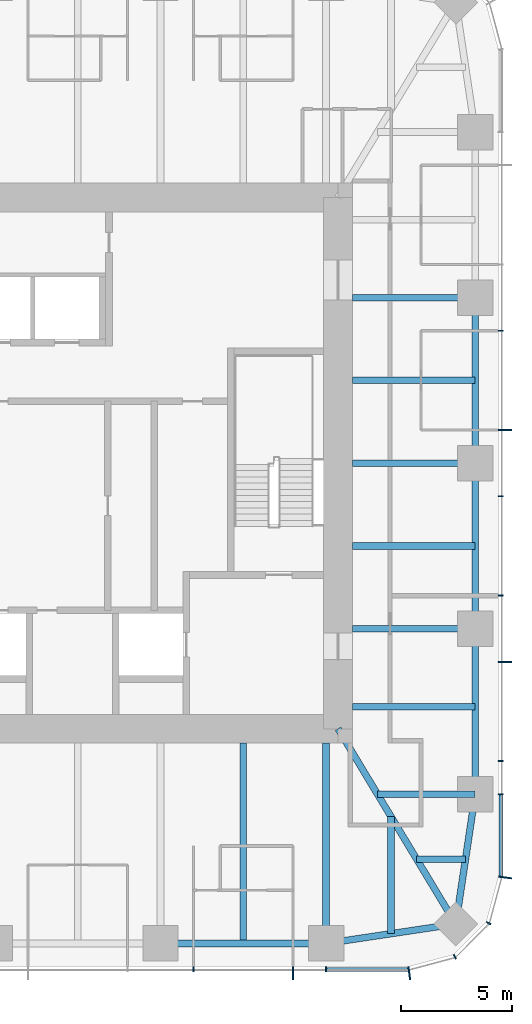
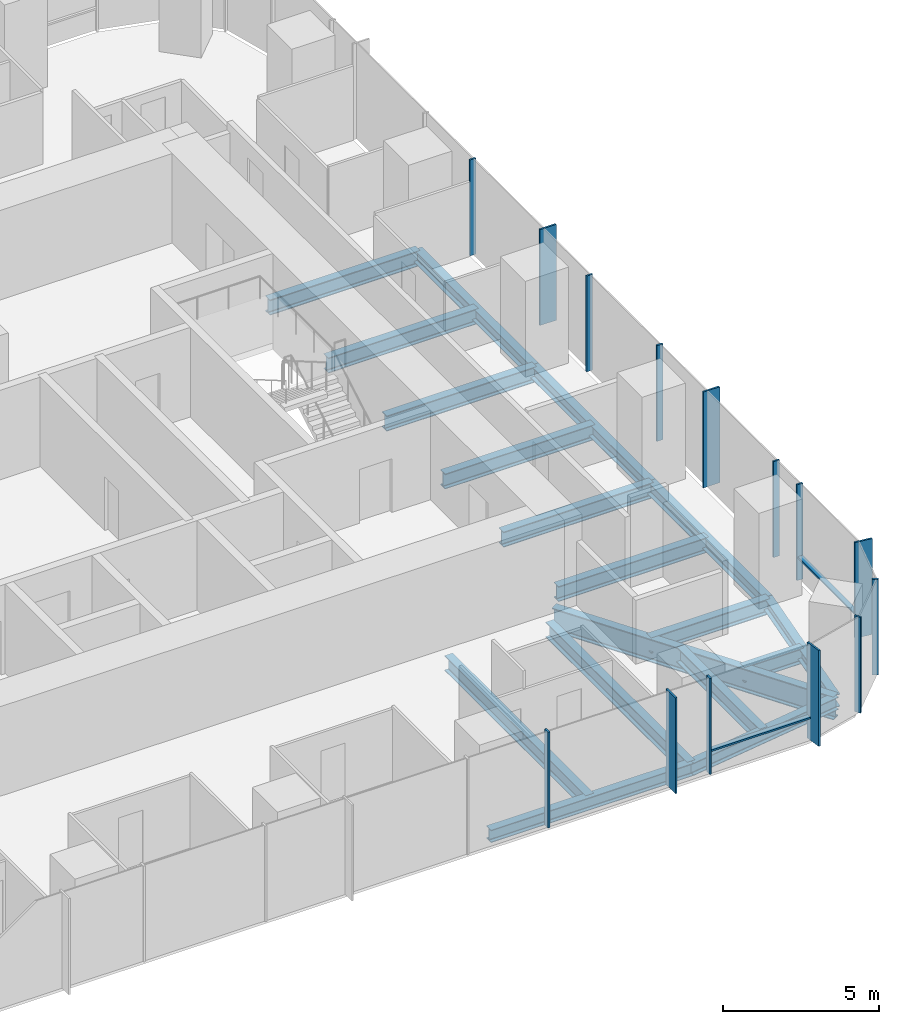
# One storey, part 4 of 12: 18 beams, 16 members, 3 elements without a shape of their own.
"""IFC4 building model written with IfcOpenShell, lengths in metres."""

from ifc_helpers import new_model, si_unit, direction, frame, origin, origin_2d, place, context, subcontext, project, spatial, rectangle, i_section, extrude, material, material_profile, profile_set, type_object, element, aggregate, save


model = new_model("IFC4")

# Units and contexts
model_context = context("Model", 3, precision=1e-05, world=origin(), true_north=direction((0.0, 1.0)))
body_context = subcontext(model_context, "Body", "Model", "MODEL_VIEW")
ifc_project = project(units=[si_unit("LENGTHUNIT", "METRE"), si_unit("AREAUNIT", "SQUARE_METRE"), si_unit("VOLUMEUNIT", "CUBIC_METRE"), si_unit("PLANEANGLEUNIT", "RADIAN"), si_unit("MASSUNIT", "GRAM", prefix="KILO")], contexts=[model_context])

# Site, building, storey
site_placement = place(None, origin())
site = spatial("IfcSite", under=ifc_project, at=site_placement, CompositionType="ELEMENT")
building_placement = place(site_placement, origin())
building = spatial("IfcBuilding", under=site, at=building_placement, Name="Khuree Lantern Residences", CompositionType="ELEMENT")
storey_placement = place(building_placement, frame((0.0, 0.0, 345.75)))
storey = spatial("IfcBuildingStorey", under=building, at=storey_placement, Name="L87", CompositionType="ELEMENT", Elevation=345.75)

# Beams
ifc_material_1 = material(Name="Steel S355", Category="steel")
ifc_material_profile_1 = material_profile(ifc_material_1, i_section(OverallWidth=0.300048828125, OverallDepth=0.590087890625, WebThickness=0.012939453125, FlangeThickness=0.02490234375, FilletRadius=0.027099609375, at=origin_2d()), Name="HE 600 A")
ifc_profile_set_1 = profile_set([ifc_material_profile_1], Name="Steel S355")
beam_type_1 = type_object("IfcBeamType", Name="B-45 SECONDARY BEAM HE 600 A", PredefinedType="BEAM", material=ifc_profile_set_1)
for number, where, z_axis, x_axis, name in (
    (1, (21.699951171875, 3.739990234375, -0.544921875), (-1.0, 0.0, 0.0), (0.0, -1.0, 0.0), "Secondary beam E3"),
    (2, (21.699951171875, -3.739990234375, -0.544921875), (-1.0, 0.0, 0.0), (0.0, -1.0, 0.0), "Secondary beam E4"),
    (3, (21.699951171875, -11.0, -0.544921875), (-1.0, 0.0, 0.0), (0.0, -1.0, 0.0), "Secondary beam E5"),
):
    element("IfcBeam", number, at=place(storey_placement, frame(where, z_axis=z_axis, x_axis=x_axis)), inside=storey, type_object=beam_type_1, Name=name, PredefinedType="BEAM", context=body_context, shape_type="SweptSolid", body=[
        extrude(i_section(OverallWidth=0.300048828125, OverallDepth=0.590087890625, WebThickness=0.012939453125, FlangeThickness=0.02490234375, FilletRadius=0.027099609375, at=origin_2d()), origin(), (0.0, 0.0, 1.0), 5.550048828125),
    ])
beam_1_placement = place(storey_placement, frame((21.2607421875, -17.890625, -0.544921875), z_axis=(-1.0, 0.0, 0.0), x_axis=(0.0, -1.0, 0.0)))
element("IfcBeam", 4, at=beam_1_placement, inside=storey, type_object=beam_type_1, Name="Secondary beam E6", PredefinedType="BEAM", context=body_context, shape_type="SweptSolid", body=[
    extrude(i_section(OverallWidth=0.300048828125, OverallDepth=0.590087890625, WebThickness=0.012939453125, FlangeThickness=0.02490234375, FilletRadius=0.027099609375, at=origin_2d()), origin(), (0.0, 0.0, 1.0), 2.207275390625),
])
beam_2_placement = place(storey_placement, frame((17.890625, -21.2607421875, -0.544921875), z_axis=(0.0, 1.0, 0.0), x_axis=(-1.0, 0.0, 0.0)))
element("IfcBeam", 5, at=beam_2_placement, inside=storey, type_object=beam_type_1, Name="Secondary beam S1", PredefinedType="BEAM", context=body_context, shape_type="SweptSolid", body=[
    extrude(i_section(OverallWidth=0.300048828125, OverallDepth=0.590087890625, WebThickness=0.012939453125, FlangeThickness=0.02490234375, FilletRadius=0.027099609375, at=origin_2d()), origin(), (0.0, 0.0, 1.0), 5.297607421875),
])
beam_3_placement = place(storey_placement, frame((11.219970703125, -21.699951171875, -0.544921875), z_axis=(0.0, 1.0, 0.0), x_axis=(-1.0, 0.0, 0.0)))
element("IfcBeam", 6, at=beam_3_placement, inside=storey, type_object=beam_type_1, Name="Secondary beam S2", PredefinedType="BEAM", context=body_context, shape_type="SweptSolid", body=[
    extrude(i_section(OverallWidth=0.300048828125, OverallDepth=0.590087890625, WebThickness=0.012939453125, FlangeThickness=0.02490234375, FilletRadius=0.027099609375, at=origin_2d()), origin(), (0.0, 0.0, 1.0), 9.050048828125),
])
ifc_material_profile_2 = material_profile(ifc_material_1, i_section(OverallWidth=0.300048828125, OverallDepth=0.489990234375, WebThickness=0.011962890625, FlangeThickness=0.02294921875, FilletRadius=0.027099609375, at=origin_2d()), Name="HE 500 A")
ifc_profile_set_2 = profile_set([ifc_material_profile_2], Name="Steel S355")
beam_type_2 = type_object("IfcBeamType", Name="E-45 SPANDREL BEAM HE 500 A", PredefinedType="SPANDREL", material=ifc_profile_set_2)
for number, where, z_axis, x_axis, name in (
    (7, (21.699951171875, 7.47998046875, -0.4951171875), (0.0, -1.0, 0.0), (1.0, 0.0, 0.0), "Spandrel beam E3"),
    (8, (21.699951171875, 0.0, -0.4951171875), (0.0, -1.0, 0.0), (1.0, 0.0, 0.0), "Spandrel beam E4"),
    (9, (21.699951171875, -7.47998046875, -0.4951171875), (0.0, -1.0, 0.0), (1.0, 0.0, 0.0), "Spandrel beam E5"),
):
    element("IfcBeam", number, at=place(storey_placement, frame(where, z_axis=z_axis, x_axis=x_axis)), inside=storey, type_object=beam_type_2, Name=name, PredefinedType="SPANDREL", context=body_context, shape_type="SweptSolid", body=[
        extrude(i_section(OverallWidth=0.300048828125, OverallDepth=0.489990234375, WebThickness=0.011962890625, FlangeThickness=0.02294921875, FilletRadius=0.027099609375, at=origin_2d()), origin(), (0.0, 0.0, 1.0), 7.47998046875),
    ])
for number, where, z_axis, x_axis, name in (
    (10, (21.699951171875, -14.9599609375, -0.4951171875), (-0.148251822985, -0.988949643299, 0.0), (0.988949643299, -0.148251822985, 0.0), "Spandrel beam E6"),
    (11, (20.8212890625, -20.8212890625, -0.4951171875), (-0.988949643299, -0.148251822985, 0.0), (0.148251822985, -0.988949643299, 0.0), "Spandrel beam S1"),
):
    element("IfcBeam", number, at=place(storey_placement, frame(where, z_axis=z_axis, x_axis=x_axis)), inside=storey, type_object=beam_type_2, Name=name, PredefinedType="SPANDREL", context=body_context, shape_type="SweptSolid", body=[
        extrude(i_section(OverallWidth=0.300048828125, OverallDepth=0.489990234375, WebThickness=0.011962890625, FlangeThickness=0.02294921875, FilletRadius=0.027099609375, at=origin_2d()), origin(), (0.0, 0.0, 1.0), 5.9267578125),
    ])
beam_4_placement = place(storey_placement, frame((14.9599609375, -21.699951171875, -0.4951171875), z_axis=(-1.0, 0.0, 0.0), x_axis=(0.0, -1.0, 0.0)))
element("IfcBeam", 12, at=beam_4_placement, inside=storey, type_object=beam_type_2, Name="Spandrel beam S2", PredefinedType="SPANDREL", context=body_context, shape_type="SweptSolid", body=[
    extrude(i_section(OverallWidth=0.300048828125, OverallDepth=0.489990234375, WebThickness=0.011962890625, FlangeThickness=0.02294921875, FilletRadius=0.027099609375, at=origin_2d()), origin(), (0.0, 0.0, 1.0), 7.47998046875),
])

# Curtain wall, member
ifc_material_2 = material(Name="Bronze anodised aluminium", Category="aluminium")
curtain_wall_type_1 = type_object("IfcCurtainWallType", Name="CW-T2 TOWER CORNER CURTAIN WALL", PredefinedType="USERDEFINED", material=ifc_material_2)
curtain_wall_1_placement = place(storey_placement, origin())
curtain_wall_1 = element("IfcCurtainWall", 13, at=curtain_wall_1_placement, inside=storey, type_object=curtain_wall_type_1, Name="L87 SOUTH-EAST CORNER CURTAIN WALL", ObjectType="Faceted corner curtain wall", PredefinedType="USERDEFINED")
ifc_material_profile_3 = material_profile(ifc_material_2, rectangle(XDim=0.06494140625, YDim=0.60009765625, at=origin_2d()), Name="F1 65X600")
ifc_profile_set_3 = profile_set([ifc_material_profile_3], Name="Bronze anodised aluminium")
member_type_1 = type_object("IfcMemberType", Name="F1 BRONZE FIN MULLION TOWER 65X600", PredefinedType="MULLION", material=ifc_profile_set_3)
member_1_placement = place(storey_placement, frame((18.7197265625, -23.050048828125, 0.0), z_axis=(0.0, 0.0, 1.0), x_axis=(0.991444870192, 0.130526125236, 0.0)))
member_1 = element("IfcMember", 14, at=member_1_placement, type_object=member_type_1, Name="L87 SOUTH-EAST CORNER FIN MULLION 1", PredefinedType="MULLION", context=body_context, shape_type="SweptSolid", body=[
    extrude(rectangle(XDim=0.06494140625, YDim=0.60009765625, at=origin_2d()), origin(), (0.0, 0.0, 1.0), 3.75),
])

# Curtain wall, members
curtain_wall_type_2 = type_object("IfcCurtainWallType", Name="CW-T1 TOWER FACE CURTAIN WALL", PredefinedType="USERDEFINED", material=ifc_material_2)
curtain_wall_2_placement = place(storey_placement, origin())
curtain_wall_2 = element("IfcCurtainWall", 15, at=curtain_wall_2_placement, inside=storey, type_object=curtain_wall_type_2, Name="L87 EAST FACE CURTAIN WALL", ObjectType="Stick-built curtain wall", PredefinedType="USERDEFINED")
member_2_placement = place(storey_placement, frame((23.050048828125, -18.7197265625, 0.0), z_axis=(0.0, 0.0, 1.0), x_axis=(0.130526125236, 0.991444870192, 0.0)))
member_2 = element("IfcMember", 16, at=member_2_placement, type_object=member_type_1, Name="L87 EAST FACE FIN MULLION 4", PredefinedType="MULLION", context=body_context, shape_type="SweptSolid", body=[
    extrude(rectangle(XDim=0.06494140625, YDim=0.60009765625, at=origin_2d()), origin(), (0.0, 0.0, 1.0), 3.75),
])
member_3_placement = place(storey_placement, frame((23.050048828125, -8.97607421875, 0.0), z_axis=(0.0, 0.0, 1.0), x_axis=(0.0, 1.0, 0.0)))
member_3 = element("IfcMember", 17, at=member_3_placement, type_object=member_type_1, Name="L87 EAST FACE FIN MULLION 7", PredefinedType="MULLION", context=body_context, shape_type="SweptSolid", body=[
    extrude(rectangle(XDim=0.06494140625, YDim=0.60009765625, at=origin_2d()), origin(), (0.0, 0.0, 1.0), 3.75),
])
member_4_placement = place(storey_placement, frame((23.050048828125, 1.49609375, 0.0), z_axis=(0.0, 0.0, 1.0), x_axis=(0.0, 1.0, 0.0)))
member_4 = element("IfcMember", 18, at=member_4_placement, type_object=member_type_1, Name="L87 EAST FACE FIN MULLION 10", PredefinedType="MULLION", context=body_context, shape_type="SweptSolid", body=[
    extrude(rectangle(XDim=0.06494140625, YDim=0.60009765625, at=origin_2d()), origin(), (0.0, 0.0, 1.0), 3.75),
])

# Curtain wall, member
curtain_wall_3_placement = place(storey_placement, origin())
curtain_wall_3 = element("IfcCurtainWall", 19, at=curtain_wall_3_placement, inside=storey, type_object=curtain_wall_type_2, Name="L87 SOUTH FACE CURTAIN WALL", ObjectType="Stick-built curtain wall", PredefinedType="USERDEFINED")
member_5_placement = place(storey_placement, frame((13.464111328125, -23.050048828125, 0.0), z_axis=(0.0, 0.0, 1.0), x_axis=(1.0, 0.0, 0.0)))
member_5 = element("IfcMember", 20, at=member_5_placement, type_object=member_type_1, Name="L87 SOUTH FACE FIN MULLION 55", PredefinedType="MULLION", context=body_context, shape_type="SweptSolid", body=[
    extrude(rectangle(XDim=0.06494140625, YDim=0.60009765625, at=origin_2d()), origin(), (0.0, 0.0, 1.0), 3.75),
])

# Beams
ifc_material_profile_4 = material_profile(ifc_material_1, i_section(OverallWidth=0.300048828125, OverallDepth=0.60009765625, WebThickness=0.015380859375, FlangeThickness=0.030029296875, FilletRadius=0.027099609375, at=origin_2d()), Name="HE 600 B")
ifc_profile_set_4 = profile_set([ifc_material_profile_4], Name="Steel S355")
beam_type_3 = type_object("IfcBeamType", Name="G-45 GIRDER HE 600 B", PredefinedType="BEAM", material=ifc_profile_set_4)
for number, where, z_axis, x_axis, name in (
    (21, (21.699951171875, 7.47998046875, -0.550048828125), (-1.0, 0.0, 0.0), (0.0, -1.0, 0.0), "Girder E2"),
    (22, (21.699951171875, 0.0, -0.550048828125), (-1.0, 0.0, 0.0), (0.0, -1.0, 0.0), "Girder E3"),
    (23, (21.699951171875, -7.47998046875, -0.550048828125), (-1.0, 0.0, 0.0), (0.0, -1.0, 0.0), "Girder E4"),
):
    element("IfcBeam", number, at=place(storey_placement, frame(where, z_axis=z_axis, x_axis=x_axis)), inside=storey, type_object=beam_type_3, Name=name, PredefinedType="BEAM", context=body_context, shape_type="SweptSolid", body=[
        extrude(i_section(OverallWidth=0.300048828125, OverallDepth=0.60009765625, WebThickness=0.015380859375, FlangeThickness=0.030029296875, FilletRadius=0.027099609375, at=origin_2d()), origin(), (0.0, 0.0, 1.0), 5.550048828125),
    ])
beam_5_placement = place(storey_placement, frame((21.699951171875, -14.9599609375, -0.550048828125), z_axis=(-1.0, 0.0, 0.0), x_axis=(0.0, -1.0, 0.0)))
element("IfcBeam", 24, at=beam_5_placement, inside=storey, type_object=beam_type_3, Name="Girder E5", PredefinedType="BEAM", context=body_context, shape_type="SweptSolid", body=[
    extrude(i_section(OverallWidth=0.300048828125, OverallDepth=0.60009765625, WebThickness=0.015380859375, FlangeThickness=0.030029296875, FilletRadius=0.027099609375, at=origin_2d()), origin(), (0.0, 0.0, 1.0), 4.414306640625),
])
beam_6_placement = place(storey_placement, frame((14.9599609375, -21.699951171875, -0.550048828125), z_axis=(0.0, 1.0, 0.0), x_axis=(-1.0, 0.0, 0.0)))
element("IfcBeam", 25, at=beam_6_placement, inside=storey, type_object=beam_type_3, Name="Girder S1", PredefinedType="BEAM", context=body_context, shape_type="SweptSolid", body=[
    extrude(i_section(OverallWidth=0.300048828125, OverallDepth=0.60009765625, WebThickness=0.015380859375, FlangeThickness=0.030029296875, FilletRadius=0.027099609375, at=origin_2d()), origin(), (0.0, 0.0, 1.0), 9.050048828125),
])
ifc_material_profile_5 = material_profile(ifc_material_1, i_section(OverallWidth=0.300048828125, OverallDepth=0.89990234375, WebThickness=0.0185546875, FlangeThickness=0.034912109375, FilletRadius=0.030029296875, at=origin_2d()), Name="HE 900 B")
ifc_profile_set_5 = profile_set([ifc_material_profile_5], Name="Steel S355")
beam_type_4 = type_object("IfcBeamType", Name="GD-45 CORNER GIRDER HE 900 B", PredefinedType="BEAM", material=ifc_profile_set_5)
beam_7_placement = place(storey_placement, frame((20.8212890625, -20.8212890625, -0.699951171875), z_axis=(-0.516529577604, 0.856269347495, 0.0), x_axis=(-0.856269347495, -0.516529577604, 0.0)))
element("IfcBeam", 26, at=beam_7_placement, inside=storey, type_object=beam_type_4, Name="Corner girder SE", PredefinedType="BEAM", context=body_context, shape_type="SweptSolid", body=[
    extrude(i_section(OverallWidth=0.300048828125, OverallDepth=0.89990234375, WebThickness=0.0185546875, FlangeThickness=0.034912109375, FilletRadius=0.030029296875, at=origin_2d()), origin(), (0.0, 0.0, 1.0), 10.302001953125),
])

# Member
ifc_material_profile_6 = material_profile(ifc_material_2, rectangle(XDim=0.06494140625, YDim=0.219970703125, at=origin_2d()), Name="M1 65X220")
ifc_profile_set_6 = profile_set([ifc_material_profile_6], Name="Bronze anodised aluminium")
member_type_2 = type_object("IfcMemberType", Name="M1 BRONZE MULLION TOWER 65X220", PredefinedType="MULLION", material=ifc_profile_set_6)
member_6_placement = place(storey_placement, frame((20.780029296875, -22.302734375, 0.0), z_axis=(0.0, 0.0, 1.0), x_axis=(0.866025437565, 0.49999994149, 0.0)))
member_6 = element("IfcMember", 27, at=member_6_placement, type_object=member_type_2, Name="L87 SOUTH-EAST CORNER MULLION 2", PredefinedType="MULLION", context=body_context, shape_type="SweptSolid", body=[
    extrude(rectangle(XDim=0.06494140625, YDim=0.219970703125, at=origin_2d()), origin(), (0.0, 0.0, 1.0), 3.75),
])

member_7_placement = place(storey_placement, frame((22.302734375, -20.780029296875, 0.0), z_axis=(0.0, 0.0, 1.0), x_axis=(0.49999994149, 0.866025437565, 0.0)))
member_7 = element("IfcMember", 28, at=member_7_placement, type_object=member_type_2, Name="L87 SOUTH-EAST CORNER MULLION 3", PredefinedType="MULLION", context=body_context, shape_type="SweptSolid", body=[
    extrude(rectangle(XDim=0.06494140625, YDim=0.219970703125, at=origin_2d()), origin(), (0.0, 0.0, 1.0), 3.75),
])

aggregate(curtain_wall_1, [member_1, member_6, member_7])

member_8_placement = place(storey_placement, frame((22.860107421875, -14.9599609375, 0.0), z_axis=(0.0, 0.0, 1.0), x_axis=(0.0, 1.0, 0.0)))
member_8 = element("IfcMember", 29, at=member_8_placement, type_object=member_type_2, Name="L87 EAST FACE MULLION 5", PredefinedType="MULLION", context=body_context, shape_type="SweptSolid", body=[
    extrude(rectangle(XDim=0.06494140625, YDim=0.219970703125, at=origin_2d()), origin(), (0.0, 0.0, 1.0), 3.75),
])

member_9_placement = place(storey_placement, frame((22.860107421875, -13.464111328125, 0.0), z_axis=(0.0, 0.0, 1.0), x_axis=(0.0, 1.0, 0.0)))
member_9 = element("IfcMember", 30, at=member_9_placement, type_object=member_type_2, Name="L87 EAST FACE MULLION 6", PredefinedType="MULLION", context=body_context, shape_type="SweptSolid", body=[
    extrude(rectangle(XDim=0.06494140625, YDim=0.219970703125, at=origin_2d()), origin(), (0.0, 0.0, 1.0), 3.75),
])

member_10_placement = place(storey_placement, frame((22.860107421875, -5.98388671875, 0.0), z_axis=(0.0, 0.0, 1.0), x_axis=(0.0, 1.0, 0.0)))
member_10 = element("IfcMember", 31, at=member_10_placement, type_object=member_type_2, Name="L87 EAST FACE MULLION 8", PredefinedType="MULLION", context=body_context, shape_type="SweptSolid", body=[
    extrude(rectangle(XDim=0.06494140625, YDim=0.219970703125, at=origin_2d()), origin(), (0.0, 0.0, 1.0), 3.75),
])

member_11_placement = place(storey_placement, frame((22.860107421875, -1.49609375, 0.0), z_axis=(0.0, 0.0, 1.0), x_axis=(0.0, 1.0, 0.0)))
member_11 = element("IfcMember", 32, at=member_11_placement, type_object=member_type_2, Name="L87 EAST FACE MULLION 9", PredefinedType="MULLION", context=body_context, shape_type="SweptSolid", body=[
    extrude(rectangle(XDim=0.06494140625, YDim=0.219970703125, at=origin_2d()), origin(), (0.0, 0.0, 1.0), 3.75),
])

member_12_placement = place(storey_placement, frame((22.860107421875, 5.98388671875, 0.0), z_axis=(0.0, 0.0, 1.0), x_axis=(0.0, 1.0, 0.0)))
member_12 = element("IfcMember", 33, at=member_12_placement, type_object=member_type_2, Name="L87 EAST FACE MULLION 11", PredefinedType="MULLION", context=body_context, shape_type="SweptSolid", body=[
    extrude(rectangle(XDim=0.06494140625, YDim=0.219970703125, at=origin_2d()), origin(), (0.0, 0.0, 1.0), 3.75),
])

member_13_placement = place(storey_placement, frame((8.97607421875, -22.860107421875, 0.0), z_axis=(0.0, 0.0, 1.0), x_axis=(1.0, 0.0, 0.0)))
member_13 = element("IfcMember", 34, at=member_13_placement, type_object=member_type_2, Name="L87 SOUTH FACE MULLION 54", PredefinedType="MULLION", context=body_context, shape_type="SweptSolid", body=[
    extrude(rectangle(XDim=0.06494140625, YDim=0.219970703125, at=origin_2d()), origin(), (0.0, 0.0, 1.0), 3.75),
])

member_14_placement = place(storey_placement, frame((14.9599609375, -22.860107421875, 0.0), z_axis=(0.0, 0.0, 1.0), x_axis=(1.0, 0.0, 0.0)))
member_14 = element("IfcMember", 35, at=member_14_placement, type_object=member_type_2, Name="L87 SOUTH FACE MULLION 56", PredefinedType="MULLION", context=body_context, shape_type="SweptSolid", body=[
    extrude(rectangle(XDim=0.06494140625, YDim=0.219970703125, at=origin_2d()), origin(), (0.0, 0.0, 1.0), 3.75),
])

ifc_material_profile_7 = material_profile(ifc_material_2, rectangle(XDim=0.179931640625, YDim=0.06494140625, at=origin_2d()), Name="T1 180X65")
ifc_profile_set_7 = profile_set([ifc_material_profile_7], Name="Bronze anodised aluminium")
member_type_3 = type_object("IfcMemberType", Name="TRANSOM T1 TOWER 180X65", PredefinedType="USERDEFINED", material=ifc_profile_set_7)
member_15_placement = place(storey_placement, frame((22.8701171875, -18.6513671875, 0.89990234375), z_axis=(0.0, 1.0, 0.0), x_axis=(-1.0, 0.0, 0.0)))
member_15 = element("IfcMember", 36, at=member_15_placement, type_object=member_type_3, Name="L87 EAST FACE TRANSOM 4.1", ObjectType="Transom", PredefinedType="USERDEFINED", context=body_context, shape_type="SweptSolid", body=[
    extrude(rectangle(XDim=0.179931640625, YDim=0.06494140625, at=origin_2d()), origin(), (0.0, 0.0, 1.0), 3.658935546875),
])

aggregate(curtain_wall_2, [member_2, member_8, member_9, member_3, member_10, member_11, member_4, member_12, member_15])

member_16_placement = place(storey_placement, frame((14.992431640625, -22.8701171875, 0.89990234375), z_axis=(1.0, 0.0, 0.0), x_axis=(0.0, 1.0, 0.0)))
member_16 = element("IfcMember", 37, at=member_16_placement, type_object=member_type_3, Name="L87 SOUTH FACE TRANSOM 56.1", ObjectType="Transom", PredefinedType="USERDEFINED", context=body_context, shape_type="SweptSolid", body=[
    extrude(rectangle(XDim=0.179931640625, YDim=0.06494140625, at=origin_2d()), origin(), (0.0, 0.0, 1.0), 3.658935546875),
])

aggregate(curtain_wall_3, [member_13, member_5, member_14, member_16])

save(model, "model.ifc")
